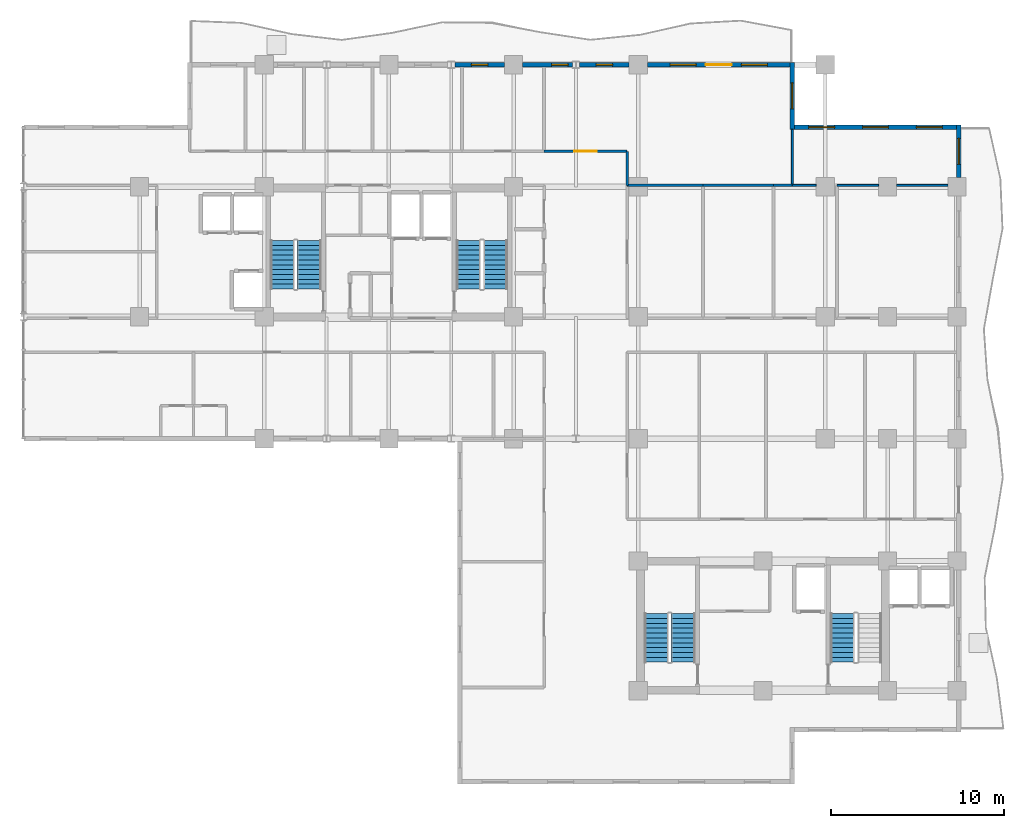
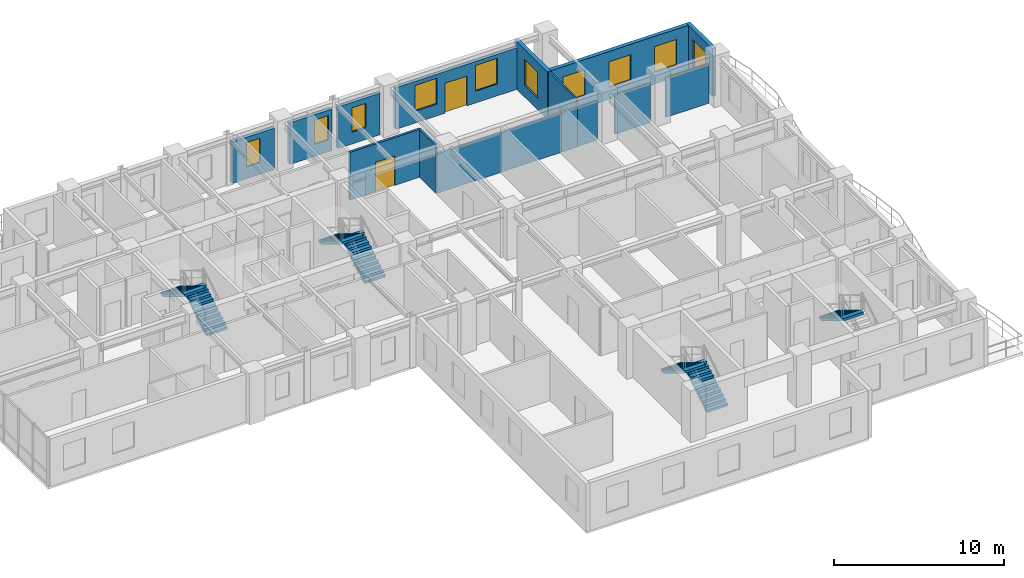
# One storey, part 14 of 18: 16 walls, 10 windows, 7 stair flights, 2 doors, 12 openings, 4 elements without a shape of their own.
"""IFC4 building model written with IfcOpenShell, lengths in metres."""

from ifc_helpers import new_model, si_unit, direction, frame, frame_2d, origin, place, context, subcontext, project, spatial, polyline, rectangle, outline, extrude, material, layer, layer_set, type_object, element, fill, aggregate, save


model = new_model("IFC4")

# Units and contexts
model_context = context("Model", 3, precision=1e-05, world=origin(), true_north=direction((0.0, 1.0)))
body_context = subcontext(model_context, "Body", "Model", "MODEL_VIEW")
ifc_project = project(units=[si_unit("LENGTHUNIT", "METRE"), si_unit("AREAUNIT", "SQUARE_METRE"), si_unit("VOLUMEUNIT", "CUBIC_METRE"), si_unit("PLANEANGLEUNIT", "RADIAN"), si_unit("MASSUNIT", "GRAM", prefix="KILO")], contexts=[model_context])

# Site, building, storey
site_placement = place(None, origin())
site = spatial("IfcSite", under=ifc_project, at=site_placement, CompositionType="ELEMENT")
building_placement = place(site_placement, origin())
building = spatial("IfcBuilding", under=site, at=building_placement, Name="Kaliganga Portal Commons", CompositionType="ELEMENT")
storey_placement = place(building_placement, frame((0.0, 0.0, 169.800048828125)))
storey = spatial("IfcBuildingStorey", under=building, at=storey_placement, Name="L43", CompositionType="ELEMENT", Elevation=169.800048828125)

# Wall, opening, window
ifc_material_1 = material(Name="Insulated Aluminium-Clad Spandrel Assembly", Category="aluminium")
ifc_layer_1 = layer(ifc_material_1, 0.260009765625)
ifc_layer_set_1 = layer_set([ifc_layer_1], Name="Insulated Aluminium-Clad Spandrel Assembly")
wall_type_1 = type_object("IfcWallType", Name="WL-EXT-SPAND-260", PredefinedType="STANDARD", material=ifc_layer_set_1)
wall_1_placement = place(storey_placement, frame((54.5, 39.72998046875, 0.0), z_axis=(0.0, 0.0, 1.0), x_axis=(0.0, -1.0, 0.0)))
wall_1 = element("IfcWall", 1, at=wall_1_placement, inside=storey, type_object=wall_type_1, Name="Exterior Envelope Wall L43 P1-E03-S6", PredefinedType="STANDARD", context=body_context, shape_type="SweptSolid", body=[
    extrude(rectangle(XDim=3.053955078125, YDim=0.260009765625, at=frame_2d((1.52685546875, 0.0))), origin(), (0.0, 0.0, 1.0), 3.43994140625),
])
opening_1_placement = place(wall_1_placement, frame((0.777099609375, 0.0, 0.85009765625)))
opening_1 = element("IfcOpeningElement", 2, at=opening_1_placement, cuts=wall_1, Name="Opening W-02", PredefinedType="OPENING", context=body_context, shape_type="SweptSolid", body=[
    extrude(rectangle(XDim=1.5, YDim=1.85009765625, at=frame_2d((0.75, 0.925048828125))), frame((0.0, 0.14013671875, 0.0), z_axis=(0.0, -1.0, 0.0), x_axis=(1.0, 0.0, 0.0)), (0.0, 0.0, 1.0), 0.280029296875),
])
ifc_material_2 = material(Name="Thermally Broken Aluminium and Low-E Double Glazing", Category="aluminium")
window_type_1 = type_object("IfcWindowType", Name="WIN-STD-1500", PartitioningType="DOUBLE_PANEL_VERTICAL", PredefinedType="WINDOW", material=ifc_material_2)
window_1_placement = place(opening_1_placement, origin())
window_1 = element("IfcWindow", 3, at=window_1_placement, inside=storey, type_object=window_type_1, Name="Facade Window L43-P1E03S6-00", OverallHeight=1.85009765625, OverallWidth=1.5, PartitioningType="SINGLE_PANEL", PredefinedType="WINDOW", context=body_context, shape_type="SweptSolid", body=[
    extrude(rectangle(XDim=1.5, YDim=1.85009765625, at=frame_2d((0.75, 0.925048828125))), frame((0.0, 0.030029296875, 0.0), z_axis=(0.0, -1.0, 0.0), x_axis=(1.0, 0.0, 0.0)), (0.0, 0.0, 1.0), 0.06005859375),
])
fill(opening_1, window_1)

# Wall, openings, windows
wall_2_placement = place(storey_placement, frame((45.034912109375, 39.60009765625, 0.0), z_axis=(0.0, 0.0, 1.0), x_axis=(1.0, 0.0, 0.0)))
wall_2 = element("IfcWall", 4, at=wall_2_placement, inside=storey, type_object=wall_type_1, Name="Exterior Envelope Wall L43 P1-E04-S1", PredefinedType="STANDARD", context=body_context, shape_type="SweptSolid", body=[
    extrude(rectangle(XDim=9.330078125, YDim=0.260009765625, at=frame_2d((4.6650390625, 0.0))), origin(), (0.0, 0.0, 1.0), 3.43994140625),
])
opening_2_placement = place(wall_2_placement, frame((0.804931640625, 0.0, 0.85009765625)))
opening_2 = element("IfcOpeningElement", 5, at=opening_2_placement, cuts=wall_2, Name="Opening W-02", PredefinedType="OPENING", context=body_context, shape_type="SweptSolid", body=[
    extrude(rectangle(XDim=1.5, YDim=1.85009765625, at=frame_2d((0.75, 0.925048828125))), frame((0.0, 0.14013671875, 0.0), z_axis=(0.0, -1.0, 0.0), x_axis=(1.0, 0.0, 0.0)), (0.0, 0.0, 1.0), 0.280029296875),
])
opening_3_placement = place(wall_2_placement, frame((3.9150390625, 0.0, 0.85009765625)))
opening_3 = element("IfcOpeningElement", 6, at=opening_3_placement, cuts=wall_2, Name="Opening W-02", PredefinedType="OPENING", context=body_context, shape_type="SweptSolid", body=[
    extrude(rectangle(XDim=1.5, YDim=1.85009765625, at=frame_2d((0.75, 0.925048828125))), frame((0.0, 0.14013671875, 0.0), z_axis=(0.0, -1.0, 0.0), x_axis=(1.0, 0.0, 0.0)), (0.0, 0.0, 1.0), 0.280029296875),
])
opening_4_placement = place(wall_2_placement, frame((7.02490234375, 0.0, 0.85009765625)))
opening_4 = element("IfcOpeningElement", 7, at=opening_4_placement, cuts=wall_2, Name="Opening W-02", PredefinedType="OPENING", context=body_context, shape_type="SweptSolid", body=[
    extrude(rectangle(XDim=1.5, YDim=1.85009765625, at=frame_2d((0.75, 0.925048828125))), frame((0.0, 0.14013671875, 0.0), z_axis=(0.0, -1.0, 0.0), x_axis=(1.0, 0.0, 0.0)), (0.0, 0.0, 1.0), 0.280029296875),
])
window_2_placement = place(opening_2_placement, origin())
window_2 = element("IfcWindow", 8, at=window_2_placement, inside=storey, type_object=window_type_1, Name="Facade Window L43-P1E04S1-00", OverallHeight=1.85009765625, OverallWidth=1.5, PartitioningType="SINGLE_PANEL", PredefinedType="WINDOW", context=body_context, shape_type="SweptSolid", body=[
    extrude(rectangle(XDim=1.5, YDim=1.85009765625, at=frame_2d((0.75, 0.925048828125))), frame((0.0, 0.030029296875, 0.0), z_axis=(0.0, -1.0, 0.0), x_axis=(1.0, 0.0, 0.0)), (0.0, 0.0, 1.0), 0.06005859375),
])
fill(opening_2, window_2)
window_3_placement = place(opening_3_placement, origin())
window_3 = element("IfcWindow", 9, at=window_3_placement, inside=storey, type_object=window_type_1, Name="Facade Window L43-P1E04S1-01", OverallHeight=1.85009765625, OverallWidth=1.5, PartitioningType="SINGLE_PANEL", PredefinedType="WINDOW", context=body_context, shape_type="SweptSolid", body=[
    extrude(rectangle(XDim=1.5, YDim=1.85009765625, at=frame_2d((0.75, 0.925048828125))), frame((0.0, 0.030029296875, 0.0), z_axis=(0.0, -1.0, 0.0), x_axis=(1.0, 0.0, 0.0)), (0.0, 0.0, 1.0), 0.06005859375),
])
fill(opening_3, window_3)
window_4_placement = place(opening_4_placement, origin())
window_4 = element("IfcWindow", 10, at=window_4_placement, inside=storey, type_object=window_type_1, Name="Facade Window L43-P1E04S1-02", OverallHeight=1.85009765625, OverallWidth=1.5, PartitioningType="SINGLE_PANEL", PredefinedType="WINDOW", context=body_context, shape_type="SweptSolid", body=[
    extrude(rectangle(XDim=1.5, YDim=1.85009765625, at=frame_2d((0.75, 0.925048828125))), frame((0.0, 0.030029296875, 0.0), z_axis=(0.0, -1.0, 0.0), x_axis=(1.0, 0.0, 0.0)), (0.0, 0.0, 1.0), 0.06005859375),
])
fill(opening_4, window_4)

# Wall, opening, window
wall_3_placement = place(storey_placement, frame((44.89990234375, 43.330078125, 0.0), z_axis=(0.0, 0.0, 1.0), x_axis=(0.0, -1.0, 0.0)))
wall_3 = element("IfcWall", 11, at=wall_3_placement, inside=storey, type_object=wall_type_1, Name="Exterior Envelope Wall L43 P1-E05-S1", PredefinedType="STANDARD", context=body_context, shape_type="SweptSolid", body=[
    extrude(rectangle(XDim=3.860107421875, YDim=0.260009765625, at=frame_2d((1.93017578125, 0.0))), origin(), (0.0, 0.0, 1.0), 3.43994140625),
])
opening_5_placement = place(wall_3_placement, frame((1.179931640625, 0.0, 0.85009765625)))
opening_5 = element("IfcOpeningElement", 12, at=opening_5_placement, cuts=wall_3, Name="Opening W-02", PredefinedType="OPENING", context=body_context, shape_type="SweptSolid", body=[
    extrude(rectangle(XDim=1.5, YDim=1.85009765625, at=frame_2d((0.75, 0.925048828125))), frame((0.0, 0.14013671875, 0.0), z_axis=(0.0, -1.0, 0.0), x_axis=(1.0, 0.0, 0.0)), (0.0, 0.0, 1.0), 0.280029296875),
])
window_5_placement = place(opening_5_placement, origin())
window_5 = element("IfcWindow", 13, at=window_5_placement, inside=storey, type_object=window_type_1, Name="Facade Window L43-P1E05S1-00", OverallHeight=1.85009765625, OverallWidth=1.5, PartitioningType="SINGLE_PANEL", PredefinedType="WINDOW", context=body_context, shape_type="SweptSolid", body=[
    extrude(rectangle(XDim=1.5, YDim=1.85009765625, at=frame_2d((0.75, 0.925048828125))), frame((0.0, 0.030029296875, 0.0), z_axis=(0.0, -1.0, 0.0), x_axis=(1.0, 0.0, 0.0)), (0.0, 0.0, 1.0), 0.06005859375),
])
fill(opening_5, window_5)

# Wall, openings, door, windows
wall_4_placement = place(storey_placement, frame((36.52587890625, 43.199951171875, 0.0), z_axis=(0.0, 0.0, 1.0), x_axis=(1.0, 0.0, 0.0)))
wall_4 = element("IfcWall", 14, at=wall_4_placement, inside=storey, type_object=wall_type_1, Name="Exterior Envelope Wall L43 P1-E06-S1", PredefinedType="STANDARD", context=body_context, shape_type="SweptSolid", body=[
    extrude(rectangle(XDim=8.239013671875, YDim=0.260009765625, at=frame_2d((4.11962890625, 0.0))), origin(), (0.0, 0.0, 1.0), 2.989990234375),
])
opening_6_placement = place(wall_4_placement, frame((3.368896484375, 0.0, 0.0)))
opening_6 = element("IfcOpeningElement", 15, at=opening_6_placement, cuts=wall_4, Name="Opening BD-01", PredefinedType="OPENING", context=body_context, shape_type="SweptSolid", body=[
    extrude(rectangle(XDim=1.5, YDim=2.14990234375, at=frame_2d((0.75, 1.074951171875))), frame((0.0, 0.14013671875, 0.0), z_axis=(0.0, -1.0, 0.0), x_axis=(1.0, 0.0, 0.0)), (0.0, 0.0, 1.0), 0.280029296875),
])
opening_7_placement = place(wall_4_placement, frame((1.309814453125, 0.0, 0.85009765625)))
opening_7 = element("IfcOpeningElement", 16, at=opening_7_placement, cuts=wall_4, Name="Opening W-02", PredefinedType="OPENING", context=body_context, shape_type="SweptSolid", body=[
    extrude(rectangle(XDim=1.5, YDim=1.85009765625, at=frame_2d((0.75, 0.925048828125))), frame((0.0, 0.14013671875, 0.0), z_axis=(0.0, -1.0, 0.0), x_axis=(1.0, 0.0, 0.0)), (0.0, 0.0, 1.0), 0.280029296875),
])
opening_8_placement = place(wall_4_placement, frame((5.42919921875, 0.0, 0.85009765625)))
opening_8 = element("IfcOpeningElement", 17, at=opening_8_placement, cuts=wall_4, Name="Opening W-02", PredefinedType="OPENING", context=body_context, shape_type="SweptSolid", body=[
    extrude(rectangle(XDim=1.5, YDim=1.85009765625, at=frame_2d((0.75, 0.925048828125))), frame((0.0, 0.14013671875, 0.0), z_axis=(0.0, -1.0, 0.0), x_axis=(1.0, 0.0, 0.0)), (0.0, 0.0, 1.0), 0.280029296875),
])
ifc_material_3 = material(Name="Anodized Aluminium and Laminated Safety Glass", Category="aluminium")
door_type_1 = type_object("IfcDoorType", Name="DR-BALC-1500", OperationType="SLIDING_TO_LEFT", PredefinedType="DOOR", material=ifc_material_3)
door_1_placement = place(opening_6_placement, origin())
door_1 = element("IfcDoor", 18, at=door_1_placement, inside=storey, type_object=door_type_1, Name="Balcony Sliding Door L43 balc_north", OperationType="SLIDING_TO_LEFT", OverallHeight=2.14990234375, OverallWidth=1.5, PredefinedType="DOOR", context=body_context, shape_type="SweptSolid", body=[
    extrude(rectangle(XDim=1.5, YDim=2.14990234375, at=frame_2d((0.75, 1.074951171875))), frame((0.0, 0.02490234375, 0.0), z_axis=(0.0, -1.0, 0.0), x_axis=(1.0, 0.0, 0.0)), (0.0, 0.0, 1.0), 0.050048828125),
])
fill(opening_6, door_1)
window_6_placement = place(opening_7_placement, origin())
window_6 = element("IfcWindow", 19, at=window_6_placement, inside=storey, type_object=window_type_1, Name="Facade Window L43-P1E06S1-00", OverallHeight=1.85009765625, OverallWidth=1.5, PartitioningType="SINGLE_PANEL", PredefinedType="WINDOW", context=body_context, shape_type="SweptSolid", body=[
    extrude(rectangle(XDim=1.5, YDim=1.85009765625, at=frame_2d((0.75, 0.925048828125))), frame((0.0, 0.030029296875, 0.0), z_axis=(0.0, -1.0, 0.0), x_axis=(1.0, 0.0, 0.0)), (0.0, 0.0, 1.0), 0.06005859375),
])
fill(opening_7, window_6)
window_7_placement = place(opening_8_placement, origin())
window_7 = element("IfcWindow", 20, at=window_7_placement, inside=storey, type_object=window_type_1, Name="Facade Window L43-P1E06S1-01", OverallHeight=1.85009765625, OverallWidth=1.5, PartitioningType="SINGLE_PANEL", PredefinedType="WINDOW", context=body_context, shape_type="SweptSolid", body=[
    extrude(rectangle(XDim=1.5, YDim=1.85009765625, at=frame_2d((0.75, 0.925048828125))), frame((0.0, 0.030029296875, 0.0), z_axis=(0.0, -1.0, 0.0), x_axis=(1.0, 0.0, 0.0)), (0.0, 0.0, 1.0), 0.06005859375),
])
fill(opening_8, window_7)

# Wall, opening, window
wall_5_placement = place(storey_placement, frame((32.60302734375, 43.199951171875, 0.0), z_axis=(0.0, 0.0, 1.0), x_axis=(1.0, 0.0, 0.0)))
wall_5 = element("IfcWall", 21, at=wall_5_placement, inside=storey, type_object=wall_type_1, Name="Exterior Envelope Wall L43 P1-E06-S2", PredefinedType="STANDARD", context=body_context, shape_type="SweptSolid", body=[
    extrude(rectangle(XDim=2.87109375, YDim=0.260009765625, at=frame_2d((1.435546875, 0.0))), origin(), (0.0, 0.0, 1.0), 2.989990234375),
])
opening_9_placement = place(wall_5_placement, frame((0.96044921875, 0.0, 0.85009765625)))
opening_9 = element("IfcOpeningElement", 22, at=opening_9_placement, cuts=wall_5, Name="Opening W-04", PredefinedType="OPENING", context=body_context, shape_type="SweptSolid", body=[
    extrude(rectangle(XDim=0.949951171875, YDim=1.75, at=frame_2d((0.47509765625, 0.875))), frame((0.0, 0.14013671875, 0.0), z_axis=(0.0, -1.0, 0.0), x_axis=(1.0, 0.0, 0.0)), (0.0, 0.0, 1.0), 0.280029296875),
])
window_type_2 = type_object("IfcWindowType", Name="WIN-NARROW-950", PartitioningType="SINGLE_PANEL", PredefinedType="WINDOW", material=ifc_material_2)
window_8_placement = place(opening_9_placement, origin())
window_8 = element("IfcWindow", 23, at=window_8_placement, inside=storey, type_object=window_type_2, Name="Facade Window L43-P1E06S2-00", OverallHeight=1.75, OverallWidth=0.949951171875, PartitioningType="SINGLE_PANEL", PredefinedType="WINDOW", context=body_context, shape_type="SweptSolid", body=[
    extrude(rectangle(XDim=0.949951171875, YDim=1.75, at=frame_2d((0.47509765625, 0.875))), frame((0.0, 0.030029296875, 0.0), z_axis=(0.0, -1.0, 0.0), x_axis=(1.0, 0.0, 0.0)), (0.0, 0.0, 1.0), 0.06005859375),
])
fill(opening_9, window_8)

wall_6_placement = place(storey_placement, frame((29.325927734375, 43.199951171875, 0.0), z_axis=(0.0, 0.0, 1.0), x_axis=(1.0, 0.0, 0.0)))
wall_6 = element("IfcWall", 24, at=wall_6_placement, inside=storey, type_object=wall_type_1, Name="Exterior Envelope Wall L43 P1-E06-S3", PredefinedType="STANDARD", context=body_context, shape_type="SweptSolid", body=[
    extrude(rectangle(XDim=2.87109375, YDim=0.260009765625, at=frame_2d((1.435546875, 0.0))), origin(), (0.0, 0.0, 1.0), 2.989990234375),
])
opening_10_placement = place(wall_6_placement, frame((1.672607421875, 0.0, 0.85009765625)))
opening_10 = element("IfcOpeningElement", 25, at=opening_10_placement, cuts=wall_6, Name="Opening W-04", PredefinedType="OPENING", context=body_context, shape_type="SweptSolid", body=[
    extrude(rectangle(XDim=0.949951171875, YDim=1.75, at=frame_2d((0.47509765625, 0.875))), frame((0.0, 0.14013671875, 0.0), z_axis=(0.0, -1.0, 0.0), x_axis=(1.0, 0.0, 0.0)), (0.0, 0.0, 1.0), 0.280029296875),
])
window_9_placement = place(opening_10_placement, origin())
window_9 = element("IfcWindow", 26, at=window_9_placement, inside=storey, type_object=window_type_2, Name="Facade Window L43-P1E06S3-N2", OverallHeight=1.75, OverallWidth=0.949951171875, PartitioningType="SINGLE_PANEL", PredefinedType="WINDOW", context=body_context, shape_type="SweptSolid", body=[
    extrude(rectangle(XDim=0.949951171875, YDim=1.75, at=frame_2d((0.47509765625, 0.875))), frame((0.0, 0.030029296875, 0.0), z_axis=(0.0, -1.0, 0.0), x_axis=(1.0, 0.0, 0.0)), (0.0, 0.0, 1.0), 0.06005859375),
])
fill(opening_10, window_9)

wall_7_placement = place(storey_placement, frame((25.403076171875, 43.199951171875, 0.0), z_axis=(0.0, 0.0, 1.0), x_axis=(1.0, 0.0, 0.0)))
wall_7 = element("IfcWall", 27, at=wall_7_placement, inside=storey, type_object=wall_type_1, Name="Exterior Envelope Wall L43 P1-E06-S4", PredefinedType="STANDARD", context=body_context, shape_type="SweptSolid", body=[
    extrude(rectangle(XDim=2.870849609375, YDim=0.260009765625, at=frame_2d((1.435546875, 0.0))), origin(), (0.0, 0.0, 1.0), 2.989990234375),
])
opening_11_placement = place(wall_7_placement, frame((0.96044921875, 0.0, 0.85009765625)))
opening_11 = element("IfcOpeningElement", 28, at=opening_11_placement, cuts=wall_7, Name="Opening W-04", PredefinedType="OPENING", context=body_context, shape_type="SweptSolid", body=[
    extrude(rectangle(XDim=0.949951171875, YDim=1.75, at=frame_2d((0.47509765625, 0.875))), frame((0.0, 0.14013671875, 0.0), z_axis=(0.0, -1.0, 0.0), x_axis=(1.0, 0.0, 0.0)), (0.0, 0.0, 1.0), 0.280029296875),
])
window_10_placement = place(opening_11_placement, origin())
window_10 = element("IfcWindow", 29, at=window_10_placement, inside=storey, type_object=window_type_2, Name="Facade Window L43-P1E06S4-00", OverallHeight=1.75, OverallWidth=0.949951171875, PartitioningType="SINGLE_PANEL", PredefinedType="WINDOW", context=body_context, shape_type="SweptSolid", body=[
    extrude(rectangle(XDim=0.949951171875, YDim=1.75, at=frame_2d((0.47509765625, 0.875))), frame((0.0, 0.030029296875, 0.0), z_axis=(0.0, -1.0, 0.0), x_axis=(1.0, 0.0, 0.0)), (0.0, 0.0, 1.0), 0.06005859375),
])
fill(opening_11, window_10)

# Wall, opening, door
ifc_material_4 = material(Name="Fire-Rated Gypsum Board on Steel Stud", Category="steel")
ifc_layer_2 = layer(ifc_material_4, 0.14990234375)
ifc_layer_set_2 = layer_set([ifc_layer_2], Name="Fire-Rated Gypsum Board on Steel Stud")
wall_type_2 = type_object("IfcWallType", Name="WL-PART-CORR-150", PredefinedType="PARTITIONING", material=ifc_layer_set_2)
wall_8_placement = place(storey_placement, frame((30.56005859375, 38.199951171875, 0.0), z_axis=(0.0, 0.0, 1.0), x_axis=(1.0, 0.0, 0.0)))
wall_8 = element("IfcWall", 30, at=wall_8_placement, inside=storey, type_object=wall_type_2, Name="Interior Partition L43-022", PredefinedType="PARTITIONING", context=body_context, shape_type="SweptSolid", body=[
    extrude(rectangle(XDim=4.800048828125, YDim=0.14990234375, at=frame_2d((2.39990234375, 0.0))), origin(), (0.0, 0.0, 1.0), 3.43994140625),
])
opening_12_placement = place(wall_8_placement, frame((1.75, 0.0, 0.0)))
opening_12 = element("IfcOpeningElement", 31, at=opening_12_placement, cuts=wall_8, Name="Opening RD-03", PredefinedType="OPENING", context=body_context, shape_type="SweptSolid", body=[
    extrude(rectangle(XDim=1.300048828125, YDim=2.1201171875, at=frame_2d((0.64990234375, 1.06005859375))), frame((0.0, 0.0849609375, 0.0), z_axis=(0.0, -1.0, 0.0), x_axis=(1.0, 0.0, 0.0)), (0.0, 0.0, 1.0), 0.169921875),
])
ifc_material_5 = material(Name="Glazed Timber Seminar Vision Door", Category="wood")
door_type_2 = type_object("IfcDoorType", Name="DR-STUDY-1300", OperationType="DOUBLE_DOOR_SINGLE_SWING", PredefinedType="DOOR", material=ifc_material_5)
door_2_placement = place(opening_12_placement, origin())
door_2 = element("IfcDoor", 32, at=door_2_placement, inside=storey, type_object=door_type_2, Name="Interior Door L43-ANE01", OperationType="DOUBLE_DOOR_SINGLE_SWING", OverallHeight=2.1201171875, OverallWidth=1.300048828125, PredefinedType="DOOR", context=body_context, shape_type="SweptSolid", body=[
    extrude(rectangle(XDim=1.300048828125, YDim=2.1201171875, at=frame_2d((0.64990234375, 1.06005859375))), frame((0.0, 0.02490234375, 0.0), z_axis=(0.0, -1.0, 0.0), x_axis=(1.0, 0.0, 0.0)), (0.0, 0.0, 1.0), 0.050048828125),
])
fill(opening_12, door_2)

# Walls
wall_9_placement = place(storey_placement, frame((35.360107421875, 36.239990234375, 0.0), z_axis=(0.0, 0.0, 1.0), x_axis=(0.0, 1.0, 0.0)))
element("IfcWall", 33, at=wall_9_placement, inside=storey, type_object=wall_type_2, Name="Interior Partition L43-049", PredefinedType="PARTITIONING", context=body_context, shape_type="SweptSolid", body=[
    extrude(rectangle(XDim=1.9599609375, YDim=0.14990234375, at=frame_2d((0.97998046875, 0.0))), origin(), (0.0, 0.0, 1.0), 3.43994140625),
])
ifc_material_6 = material(Name="Moisture-Resistant Gypsum Partition", Category="gypsum")
ifc_layer_3 = layer(ifc_material_6, 0.114990234375)
ifc_layer_set_3 = layer_set([ifc_layer_3], Name="Moisture-Resistant Gypsum Partition")
wall_type_3 = type_object("IfcWallType", Name="WL-PART-ROOM-115", PredefinedType="PARTITIONING", material=ifc_layer_set_3)
wall_10_placement = place(storey_placement, frame((47.47998046875, 36.239990234375, 0.0), z_axis=(0.0, 0.0, 1.0), x_axis=(1.0, 0.0, 0.0)))
element("IfcWall", 34, at=wall_10_placement, inside=storey, type_object=wall_type_3, Name="Interior Partition L43-068", PredefinedType="PARTITIONING", context=body_context, shape_type="SweptSolid", body=[
    extrude(rectangle(XDim=2.39501953125, YDim=0.114990234375, at=frame_2d((1.197509765625, 0.0))), origin(), (0.0, 0.0, 1.0), 2.83984375),
])
wall_11_placement = place(storey_placement, frame((50.925048828125, 36.239990234375, 0.0), z_axis=(0.0, 0.0, 1.0), x_axis=(1.0, 0.0, 0.0)))
element("IfcWall", 35, at=wall_11_placement, inside=storey, type_object=wall_type_3, Name="Interior Partition L43-069", PredefinedType="PARTITIONING", context=body_context, shape_type="SweptSolid", body=[
    extrude(rectangle(XDim=2.949951171875, YDim=0.114990234375, at=frame_2d((1.47509765625, 0.0))), origin(), (0.0, 0.0, 1.0), 2.83984375),
])
wall_12_placement = place(storey_placement, frame((44.89990234375, 36.239990234375, 0.0), z_axis=(0.0, 0.0, 1.0), x_axis=(0.0, 1.0, 0.0)))
element("IfcWall", 36, at=wall_12_placement, inside=storey, type_object=wall_type_3, Name="Interior Partition L43-070", PredefinedType="PARTITIONING", context=body_context, shape_type="SweptSolid", body=[
    extrude(rectangle(XDim=3.22802734375, YDim=0.114990234375, at=frame_2d((1.614013671875, 0.0))), origin(), (0.0, 0.0, 1.0), 3.43994140625),
])
wall_13_placement = place(storey_placement, frame((44.89990234375, 36.239990234375, 0.0), z_axis=(0.0, 0.0, 1.0), x_axis=(1.0, 0.0, 0.0)))
element("IfcWall", 37, at=wall_13_placement, inside=storey, type_object=wall_type_3, Name="Interior Partition L43-088", PredefinedType="PARTITIONING", context=body_context, shape_type="SweptSolid", body=[
    extrude(rectangle(XDim=1.375, YDim=0.114990234375, at=frame_2d((0.6875, 0.0))), origin(), (0.0, 0.0, 1.0), 2.83984375),
])
ifc_material_7 = material(Name="Twin-Stud Acoustic Gypsum Partition", Category="gypsum")
ifc_layer_4 = layer(ifc_material_7, 0.1650390625)
ifc_layer_set_4 = layer_set([ifc_layer_4], Name="Twin-Stud Acoustic Gypsum Partition")
wall_type_4 = type_object("IfcWallType", Name="WL-PART-UNIT-165", PredefinedType="PARTITIONING", material=ifc_layer_set_4)
wall_14_placement = place(storey_placement, frame((35.360107421875, 36.239990234375, 0.0), z_axis=(0.0, 0.0, 1.0), x_axis=(1.0, 0.0, 0.0)))
element("IfcWall", 38, at=wall_14_placement, inside=storey, type_object=wall_type_4, Name="Interior Partition L43-080", PredefinedType="PARTITIONING", context=body_context, shape_type="SweptSolid", body=[
    extrude(rectangle(XDim=4.3798828125, YDim=0.1650390625, at=frame_2d((2.18994140625, 0.0))), origin(), (0.0, 0.0, 1.0), 2.83984375),
])
wall_15_placement = place(storey_placement, frame((39.739990234375, 36.239990234375, 0.0), z_axis=(0.0, 0.0, 1.0), x_axis=(1.0, 0.0, 0.0)))
element("IfcWall", 39, at=wall_15_placement, inside=storey, type_object=wall_type_4, Name="Interior Partition L43-082", PredefinedType="PARTITIONING", context=body_context, shape_type="SweptSolid", body=[
    extrude(rectangle(XDim=4.06005859375, YDim=0.1650390625, at=frame_2d((2.030029296875, 0.0))), origin(), (0.0, 0.0, 1.0), 2.83984375),
])
wall_16_placement = place(storey_placement, frame((43.800048828125, 36.239990234375, 0.0), z_axis=(0.0, 0.0, 1.0), x_axis=(1.0, 0.0, 0.0)))
element("IfcWall", 40, at=wall_16_placement, inside=storey, type_object=wall_type_4, Name="Interior Partition L43-094", PredefinedType="PARTITIONING", context=body_context, shape_type="SweptSolid", body=[
    extrude(rectangle(XDim=1.099853515625, YDim=0.1650390625, at=frame_2d((0.5498046875, 0.0))), origin(), (0.0, 0.0, 1.0), 2.83984375),
])

# Stair, stair flights
ifc_material_8 = material(Name="Concrete C40/50", Category="concrete")
stair_type = type_object("IfcStairType", Name="ST-CORE-DOGLEG", PredefinedType="HALF_TURN_STAIR", material=ifc_material_8)
stair_1_placement = place(storey_placement, origin())
stair_1 = element("IfcStair", 41, at=stair_1_placement, inside=storey, type_object=stair_type, Name="L43 Protected Exit Stair ST-A1", PredefinedType="HALF_TURN_STAIR")
stair_flight_type = type_object("IfcStairFlightType", Name="STF-RC-1400", PredefinedType="STRAIGHT", material=ifc_material_8)
stair_flight_1_placement = place(storey_placement, frame((17.0, 30.25, 0.0), z_axis=(0.0, 0.0, 1.0), x_axis=(0.0, 1.0, 0.0)))
stair_flight_1 = element("IfcStairFlight", 42, at=stair_flight_1_placement, type_object=stair_flight_type, Name="ST-A1 flight 1", NumberOfRisers=11, NumberOfTreads=10, PredefinedType="STRAIGHT", RiserHeight=0.168181818, TreadLength=0.28, context=body_context, shape_type="SweptSolid", body=[
    extrude(outline(polyline([(0.0, 0.0), (0.0, 0.168212890625), (0.280029296875, 0.168212890625), (0.280029296875, 0.33642578125), (0.56005859375, 0.33642578125), (0.56005859375, 0.504638671875), (0.840087890625, 0.504638671875), (0.840087890625, 0.672607421875), (1.1201171875, 0.672607421875), (1.1201171875, 0.8408203125), (1.39990234375, 0.8408203125), (1.39990234375, 1.009033203125), (1.679931640625, 1.009033203125), (1.679931640625, 1.17724609375), (1.9599609375, 1.17724609375), (1.9599609375, 1.345458984375), (2.239990234375, 1.345458984375), (2.239990234375, 1.513671875), (2.52001953125, 1.513671875), (2.52001953125, 1.681884765625), (2.800048828125, 1.681884765625), (2.800048828125, 1.85009765625), (2.800048828125, 1.5068359375), (0.291015625, 0.0), (0.0, 0.0)])), frame((0.0, 0.699951171875, 0.0), z_axis=(0.0, -1.0, 0.0), x_axis=(1.0, 0.0, 0.0)), (0.0, 0.0, 1.0), 1.39990234375),
])
stair_flight_2_placement = place(storey_placement, frame((15.449951171875, 33.050048828125, 1.849853515625), z_axis=(0.0, 0.0, 1.0), x_axis=(0.0, -1.0, 0.0)))
stair_flight_2 = element("IfcStairFlight", 43, at=stair_flight_2_placement, type_object=stair_flight_type, Name="ST-A1 flight 2", NumberOfRisers=11, NumberOfTreads=10, PredefinedType="STRAIGHT", RiserHeight=0.168181818, TreadLength=0.28, context=body_context, shape_type="SweptSolid", body=[
    extrude(outline(polyline([(0.0, 0.0), (0.0, 0.168212890625), (0.280029296875, 0.168212890625), (0.280029296875, 0.33642578125), (0.56005859375, 0.33642578125), (0.56005859375, 0.504638671875), (0.840087890625, 0.504638671875), (0.840087890625, 0.672607421875), (1.1201171875, 0.672607421875), (1.1201171875, 0.8408203125), (1.39990234375, 0.8408203125), (1.39990234375, 1.009033203125), (1.679931640625, 1.009033203125), (1.679931640625, 1.17724609375), (1.9599609375, 1.17724609375), (1.9599609375, 1.345458984375), (2.239990234375, 1.345458984375), (2.239990234375, 1.513671875), (2.52001953125, 1.513671875), (2.52001953125, 1.681884765625), (2.800048828125, 1.681884765625), (2.800048828125, 1.85009765625), (2.800048828125, 1.5068359375), (0.291015625, 0.0), (0.0, 0.0)])), frame((0.0, 0.699951171875, 0.0), z_axis=(0.0, -1.0, 0.0), x_axis=(1.0, 0.0, 0.0)), (0.0, 0.0, 1.0), 1.39990234375),
])
aggregate(stair_1, [stair_flight_1, stair_flight_2])

stair_2_placement = place(storey_placement, origin())
stair_2 = element("IfcStair", 44, at=stair_2_placement, inside=storey, type_object=stair_type, Name="L43 Protected Exit Stair ST-A2", PredefinedType="HALF_TURN_STAIR")
stair_flight_3_placement = place(storey_placement, frame((27.75, 30.25, 0.0), z_axis=(0.0, 0.0, 1.0), x_axis=(0.0, 1.0, 0.0)))
stair_flight_3 = element("IfcStairFlight", 45, at=stair_flight_3_placement, type_object=stair_flight_type, Name="ST-A2 flight 1", NumberOfRisers=11, NumberOfTreads=10, PredefinedType="STRAIGHT", RiserHeight=0.168181818, TreadLength=0.28, context=body_context, shape_type="SweptSolid", body=[
    extrude(outline(polyline([(0.0, 0.0), (0.0, 0.168212890625), (0.280029296875, 0.168212890625), (0.280029296875, 0.33642578125), (0.56005859375, 0.33642578125), (0.56005859375, 0.504638671875), (0.840087890625, 0.504638671875), (0.840087890625, 0.672607421875), (1.1201171875, 0.672607421875), (1.1201171875, 0.8408203125), (1.39990234375, 0.8408203125), (1.39990234375, 1.009033203125), (1.679931640625, 1.009033203125), (1.679931640625, 1.17724609375), (1.9599609375, 1.17724609375), (1.9599609375, 1.345458984375), (2.239990234375, 1.345458984375), (2.239990234375, 1.513671875), (2.52001953125, 1.513671875), (2.52001953125, 1.681884765625), (2.800048828125, 1.681884765625), (2.800048828125, 1.85009765625), (2.800048828125, 1.5068359375), (0.291015625, 0.0), (0.0, 0.0)])), frame((0.0, 0.699951171875, 0.0), z_axis=(0.0, -1.0, 0.0), x_axis=(1.0, 0.0, 0.0)), (0.0, 0.0, 1.0), 1.39990234375),
])
stair_flight_4_placement = place(storey_placement, frame((26.199951171875, 33.050048828125, 1.849853515625), z_axis=(0.0, 0.0, 1.0), x_axis=(0.0, -1.0, 0.0)))
stair_flight_4 = element("IfcStairFlight", 46, at=stair_flight_4_placement, type_object=stair_flight_type, Name="ST-A2 flight 2", NumberOfRisers=11, NumberOfTreads=10, PredefinedType="STRAIGHT", RiserHeight=0.168181818, TreadLength=0.28, context=body_context, shape_type="SweptSolid", body=[
    extrude(outline(polyline([(0.0, 0.0), (0.0, 0.168212890625), (0.280029296875, 0.168212890625), (0.280029296875, 0.33642578125), (0.56005859375, 0.33642578125), (0.56005859375, 0.504638671875), (0.840087890625, 0.504638671875), (0.840087890625, 0.672607421875), (1.1201171875, 0.672607421875), (1.1201171875, 0.8408203125), (1.39990234375, 0.8408203125), (1.39990234375, 1.009033203125), (1.679931640625, 1.009033203125), (1.679931640625, 1.17724609375), (1.9599609375, 1.17724609375), (1.9599609375, 1.345458984375), (2.239990234375, 1.345458984375), (2.239990234375, 1.513671875), (2.52001953125, 1.513671875), (2.52001953125, 1.681884765625), (2.800048828125, 1.681884765625), (2.800048828125, 1.85009765625), (2.800048828125, 1.5068359375), (0.291015625, 0.0), (0.0, 0.0)])), frame((0.0, 0.699951171875, 0.0), z_axis=(0.0, -1.0, 0.0), x_axis=(1.0, 0.0, 0.0)), (0.0, 0.0, 1.0), 1.39990234375),
])
aggregate(stair_2, [stair_flight_3, stair_flight_4])

stair_3_placement = place(storey_placement, origin())
stair_3 = element("IfcStair", 47, at=stair_3_placement, inside=storey, type_object=stair_type, Name="L43 Protected Exit Stair ST-B1", PredefinedType="HALF_TURN_STAIR")
stair_flight_5_placement = place(storey_placement, frame((38.60009765625, 8.699951171875, 0.0), z_axis=(0.0, 0.0, 1.0), x_axis=(0.0, 1.0, 0.0)))
stair_flight_5 = element("IfcStairFlight", 48, at=stair_flight_5_placement, type_object=stair_flight_type, Name="ST-B1 flight 1", NumberOfRisers=11, NumberOfTreads=10, PredefinedType="STRAIGHT", RiserHeight=0.168181818, TreadLength=0.28, context=body_context, shape_type="SweptSolid", body=[
    extrude(outline(polyline([(0.0, 0.0), (0.0, 0.168212890625), (0.280029296875, 0.168212890625), (0.280029296875, 0.33642578125), (0.56005859375, 0.33642578125), (0.56005859375, 0.504638671875), (0.840087890625, 0.504638671875), (0.840087890625, 0.672607421875), (1.1201171875, 0.672607421875), (1.1201171875, 0.8408203125), (1.39990234375, 0.8408203125), (1.39990234375, 1.009033203125), (1.679931640625, 1.009033203125), (1.679931640625, 1.17724609375), (1.9599609375, 1.17724609375), (1.9599609375, 1.345458984375), (2.239990234375, 1.345458984375), (2.239990234375, 1.513671875), (2.52001953125, 1.513671875), (2.52001953125, 1.681884765625), (2.800048828125, 1.681884765625), (2.800048828125, 1.85009765625), (2.800048828125, 1.5068359375), (0.291015625, 0.0), (0.0, 0.0)])), frame((0.0, 0.699951171875, 0.0), z_axis=(0.0, -1.0, 0.0), x_axis=(1.0, 0.0, 0.0)), (0.0, 0.0, 1.0), 1.39990234375),
])
stair_flight_6_placement = place(storey_placement, frame((37.050048828125, 11.5, 1.849853515625), z_axis=(0.0, 0.0, 1.0), x_axis=(0.0, -1.0, 0.0)))
stair_flight_6 = element("IfcStairFlight", 49, at=stair_flight_6_placement, type_object=stair_flight_type, Name="ST-B1 flight 2", NumberOfRisers=11, NumberOfTreads=10, PredefinedType="STRAIGHT", RiserHeight=0.168181818, TreadLength=0.28, context=body_context, shape_type="SweptSolid", body=[
    extrude(outline(polyline([(0.0, 0.0), (0.0, 0.168212890625), (0.280029296875, 0.168212890625), (0.280029296875, 0.33642578125), (0.56005859375, 0.33642578125), (0.56005859375, 0.504638671875), (0.840087890625, 0.504638671875), (0.840087890625, 0.672607421875), (1.1201171875, 0.672607421875), (1.1201171875, 0.8408203125), (1.39990234375, 0.8408203125), (1.39990234375, 1.009033203125), (1.679931640625, 1.009033203125), (1.679931640625, 1.17724609375), (1.9599609375, 1.17724609375), (1.9599609375, 1.345458984375), (2.239990234375, 1.345458984375), (2.239990234375, 1.513671875), (2.52001953125, 1.513671875), (2.52001953125, 1.681884765625), (2.800048828125, 1.681884765625), (2.800048828125, 1.85009765625), (2.800048828125, 1.5068359375), (0.291015625, 0.0), (0.0, 0.0)])), frame((0.0, 0.699951171875, 0.0), z_axis=(0.0, -1.0, 0.0), x_axis=(1.0, 0.0, 0.0)), (0.0, 0.0, 1.0), 1.39990234375),
])
aggregate(stair_3, [stair_flight_5, stair_flight_6])

# Stair, stair flight
stair_4_placement = place(storey_placement, origin())
stair_4 = element("IfcStair", 50, at=stair_4_placement, inside=storey, type_object=stair_type, Name="L43 Protected Exit Stair ST-B2", PredefinedType="HALF_TURN_STAIR")
stair_flight_7_placement = place(storey_placement, frame((47.800048828125, 11.5, 1.849853515625), z_axis=(0.0, 0.0, 1.0), x_axis=(0.0, -1.0, 0.0)))
stair_flight_7 = element("IfcStairFlight", 51, at=stair_flight_7_placement, type_object=stair_flight_type, Name="ST-B2 flight 2", NumberOfRisers=11, NumberOfTreads=10, PredefinedType="STRAIGHT", RiserHeight=0.168181818, TreadLength=0.28, context=body_context, shape_type="SweptSolid", body=[
    extrude(outline(polyline([(0.0, 0.0), (0.0, 0.168212890625), (0.280029296875, 0.168212890625), (0.280029296875, 0.33642578125), (0.56005859375, 0.33642578125), (0.56005859375, 0.504638671875), (0.840087890625, 0.504638671875), (0.840087890625, 0.672607421875), (1.1201171875, 0.672607421875), (1.1201171875, 0.8408203125), (1.39990234375, 0.8408203125), (1.39990234375, 1.009033203125), (1.679931640625, 1.009033203125), (1.679931640625, 1.17724609375), (1.9599609375, 1.17724609375), (1.9599609375, 1.345458984375), (2.239990234375, 1.345458984375), (2.239990234375, 1.513671875), (2.52001953125, 1.513671875), (2.52001953125, 1.681884765625), (2.800048828125, 1.681884765625), (2.800048828125, 1.85009765625), (2.800048828125, 1.5068359375), (0.291015625, 0.0), (0.0, 0.0)])), frame((0.0, 0.699951171875, 0.0), z_axis=(0.0, -1.0, 0.0), x_axis=(1.0, 0.0, 0.0)), (0.0, 0.0, 1.0), 1.39990234375),
])
aggregate(stair_4, [stair_flight_7])

save(model, "model.ifc")
